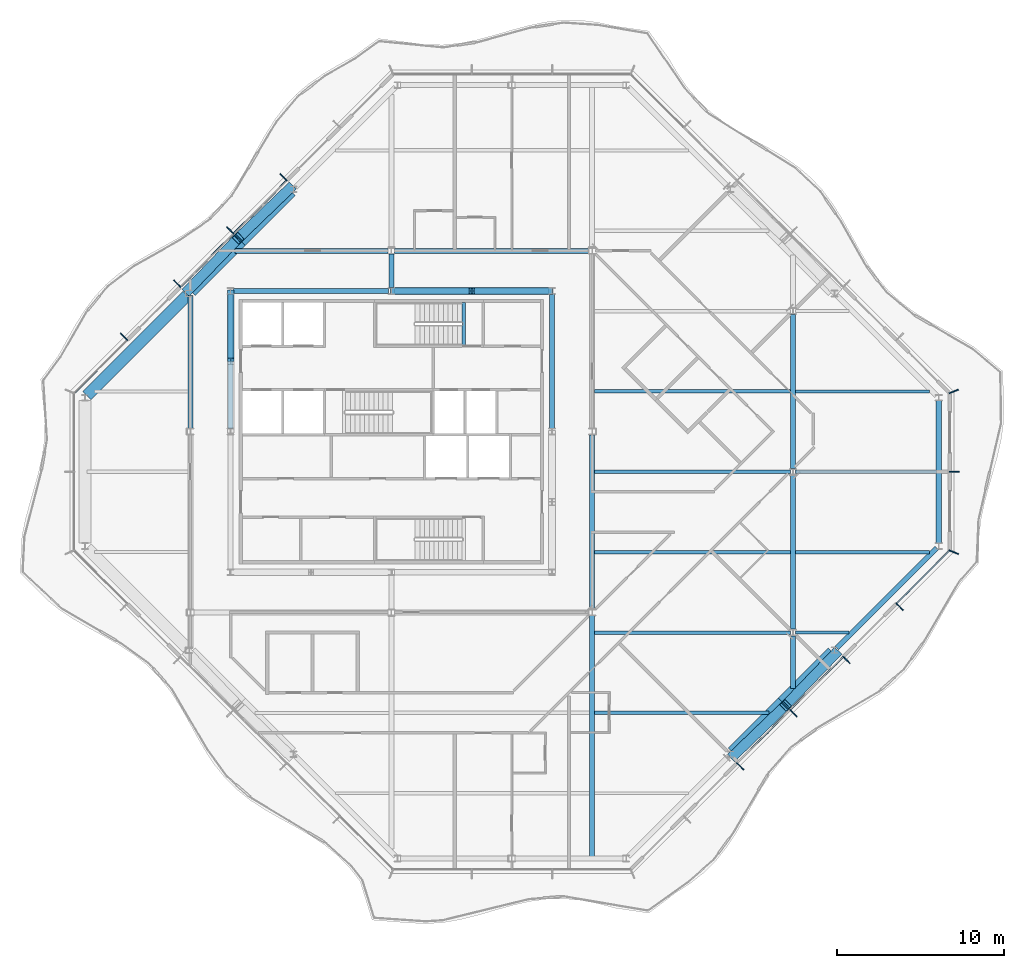
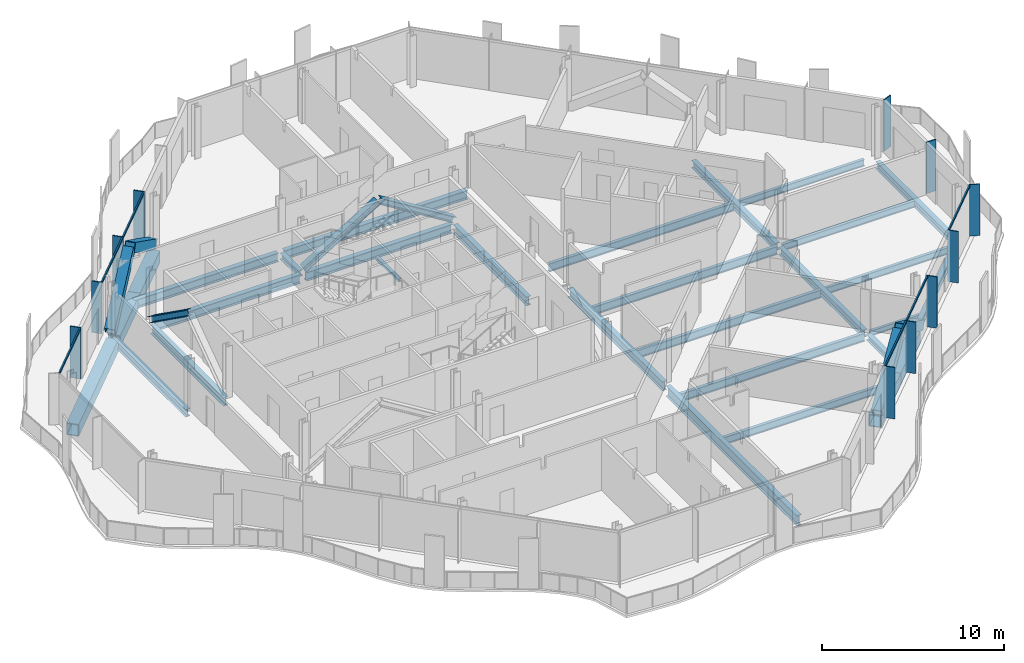
# One storey, part 4 of 16: 30 beams, 24 members, 4 elements without a shape of their own.
"""IFC4 building model written with IfcOpenShell, lengths in metres."""

from ifc_helpers import new_model, si_unit, direction, frame, origin, origin_2d, place, context, subcontext, project, spatial, rectangle, hollow_rectangle, i_section, extrude, material, material_profile, profile_set, type_object, element, aggregate, save


model = new_model("IFC4")

# Units and contexts
model_context = context("Model", 3, precision=1e-05, world=origin(), true_north=direction((0.0, 1.0)))
body_context = subcontext(model_context, "Body", "Model", "MODEL_VIEW")
ifc_project = project(units=[si_unit("LENGTHUNIT", "METRE"), si_unit("AREAUNIT", "SQUARE_METRE"), si_unit("VOLUMEUNIT", "CUBIC_METRE"), si_unit("PLANEANGLEUNIT", "RADIAN"), si_unit("MASSUNIT", "GRAM", prefix="KILO")], contexts=[model_context])

# Site, building, storey
site_placement = place(None, origin())
site = spatial("IfcSite", under=ifc_project, at=site_placement, CompositionType="ELEMENT")
building_placement = place(site_placement, origin())
building = spatial("IfcBuilding", under=site, at=building_placement, Name="Cairn Pilgrim Tower", CompositionType="ELEMENT")
storey_placement = place(building_placement, frame((0.0, 0.0, 285.0)))
storey = spatial("IfcBuildingStorey", under=building, at=storey_placement, Name="L73", CompositionType="ELEMENT", Elevation=285.0)

# Members
ifc_material_1 = material(Name="Structural steel S460M", Category="steel")
ifc_material_profile_1 = material_profile(ifc_material_1, hollow_rectangle(XDim=0.60009765625, YDim=0.60009765625, WallThickness=0.034912109375, at=origin_2d()), Name="BOX 600x600x35")
ifc_profile_set_1 = profile_set([ifc_material_profile_1], Name="Structural steel S460M")
member_type_1 = type_object("IfcMemberType", Name="BOX 600x600x35 BRACE", PredefinedType="BRACE", material=ifc_profile_set_1)
for number, where, z_axis, x_axis, name in (
    (1, (27.602294921875, -16.98779296875, 0.14990234375), (0.613660799233, 0.591469196702, 0.523053164447), (-0.693968270733, 0.720005582767, 0.0), "XB-SE2-SE3-1"),
    (2, (33.78759765625, -10.80224609375, 0.14990234375), (-0.59143769276, -0.613678385942, 0.52306815446), (0.720033989027, -0.693938797478, 0.0), "XB-SE2-SE3-2"),
    (3, (1.19775390625, 16.98779296875, 0.14990234375), (-0.613660799233, -0.591469196702, 0.523053164447), (0.693968270733, -0.720005582767, 0.0), "XB-NW2-NW3-1"),
    (4, (-4.98779296875, 10.80224609375, 0.14990234375), (0.591469196702, 0.613660799233, 0.523053164447), (-0.720005582767, 0.693968270733, 0.0), "XB-NW2-NW3-2"),
):
    element("IfcMember", number, at=place(storey_placement, frame(where, z_axis=z_axis, x_axis=x_axis)), inside=storey, type_object=member_type_1, Name=name, PredefinedType="BRACE", context=body_context, shape_type="SweptSolid", body=[
        extrude(hollow_rectangle(XDim=0.60009765625, YDim=0.60009765625, WallThickness=0.034912109375, at=origin_2d()), origin(), (0.0, 0.0, 1.0), 5.03857421875),
    ])

# Beams
ifc_material_2 = material(Name="Structural steel S355J2", Category="steel")
ifc_material_profile_2 = material_profile(ifc_material_2, hollow_rectangle(XDim=0.699951171875, YDim=0.800048828125, WallThickness=0.0400390625, at=origin_2d()), Name="BOX 700x800x40")
ifc_profile_set_2 = profile_set([ifc_material_profile_2], Name="Structural steel S355J2")
beam_type_1 = type_object("IfcBeamType", Name="BOX 700x800x40 RING GIRDER", PredefinedType="SPANDREL", material=ifc_profile_set_2)
for number, where, z_axis, x_axis, name in (
    (5, (27.575927734375, -16.751220703125, -0.550048828125), (0.707135671578, 0.707077889614, 0.0), (-0.707077889614, 0.707135671578, 0.0), "RG4-SE2-SE3-1"),
    (6, (30.563720703125, -13.763671875, -0.550048828125), (0.707077889614, 0.707135671578, 0.0), (-0.707135671578, 0.707077889614, 0.0), "RG4-SE2-SE3-2"),
    (7, (1.22412109375, 16.751220703125, -0.550048828125), (-0.707135671578, -0.707077889614, 0.0), (0.707077889614, -0.707135671578, 0.0), "RG4-NW2-NW3-1"),
    (8, (-1.763671875, 13.763671875, -0.550048828125), (-0.707077889614, -0.707135671578, 0.0), (0.707135671578, -0.707077889614, 0.0), "RG4-NW2-NW3-2"),
):
    element("IfcBeam", number, at=place(storey_placement, frame(where, z_axis=z_axis, x_axis=x_axis)), inside=storey, type_object=beam_type_1, Name=name, PredefinedType="SPANDREL", context=body_context, shape_type="SweptSolid", body=[
        extrude(hollow_rectangle(XDim=0.699951171875, YDim=0.800048828125, WallThickness=0.0400390625, at=origin_2d()), origin(), (0.0, 0.0, 1.0), 4.22509765625),
    ])
beam_1_placement = place(storey_placement, frame((-5.000244140625, 10.527099609375, -0.550048828125), z_axis=(-0.707092335843, -0.707121226235, 0.0), x_axis=(0.707121226235, -0.707092335843, 0.0)))
element("IfcBeam", 9, at=beam_1_placement, inside=storey, type_object=beam_type_1, Name="RG4-NW3-W1", PredefinedType="SPANDREL", context=body_context, shape_type="SweptSolid", body=[
    extrude(hollow_rectangle(XDim=0.699951171875, YDim=0.800048828125, WallThickness=0.0400390625, at=origin_2d()), origin(), (0.0, 0.0, 1.0), 8.45068359375),
])

# Curtain wall, members
ifc_material_3 = material(Name="Aluminium alloy 6063-T6 bronze anodised with Bronze tinted laminated low-E glass 8+16+8.8", Category="aluminium")
curtain_wall_type = type_object("IfcCurtainWallType", Name="CROWN CURTAIN WALL", PredefinedType="NOTDEFINED", material=ifc_material_3)
curtain_wall_1_placement = place(storey_placement, origin())
curtain_wall_1 = element("IfcCurtainWall", 10, at=curtain_wall_1_placement, inside=storey, type_object=curtain_wall_type, Name="Crown Curtain Wall SE", PredefinedType="NOTDEFINED")
ifc_material_4 = material(Name="Aluminium alloy 6063-T6 bronze anodised", Category="aluminium")
ifc_material_profile_3 = material_profile(ifc_material_4, rectangle(XDim=0.60009765625, YDim=0.06005859375, at=origin_2d()), Name="FIN MULLION 60x600 BRONZE")
ifc_profile_set_3 = profile_set([ifc_material_profile_3], Name="Aluminium alloy 6063-T6 bronze anodised")
member_type_2 = type_object("IfcMemberType", Name="FIN MULLION 60x600 BRONZE", PredefinedType="MULLION", material=ifc_profile_set_3)
member_1_placement = place(storey_placement, frame((28.03857421875, -17.58984375, 0.0), z_axis=(0.0, 0.0, 1.0), x_axis=(0.707106781187, -0.707106781187, 0.0)))
member_1 = element("IfcMember", 11, at=member_1_placement, type_object=member_type_2, Name="Fin mullion SE3", PredefinedType="MULLION", context=body_context, shape_type="SweptSolid", body=[
    extrude(rectangle(XDim=0.60009765625, YDim=0.06005859375, at=origin_2d()), origin(), (0.0, 0.0, 1.0), 3.449951171875),
])
member_2_placement = place(storey_placement, frame((31.214111328125, -14.4140625, 0.0), z_axis=(0.0, 0.0, 1.0), x_axis=(0.707106781187, -0.707106781187, 0.0)))
member_2 = element("IfcMember", 12, at=member_2_placement, type_object=member_type_2, Name="Fin mullion SE4", PredefinedType="MULLION", context=body_context, shape_type="SweptSolid", body=[
    extrude(rectangle(XDim=0.60009765625, YDim=0.06005859375, at=origin_2d()), origin(), (0.0, 0.0, 1.0), 3.449951171875),
])
member_3_placement = place(storey_placement, frame((34.3896484375, -11.238525390625, 0.0), z_axis=(0.0, 0.0, 1.0), x_axis=(0.707106781187, -0.707106781187, 0.0)))
member_3 = element("IfcMember", 13, at=member_3_placement, type_object=member_type_2, Name="Fin mullion SE5", PredefinedType="MULLION", context=body_context, shape_type="SweptSolid", body=[
    extrude(rectangle(XDim=0.60009765625, YDim=0.06005859375, at=origin_2d()), origin(), (0.0, 0.0, 1.0), 3.449951171875),
])
member_4_placement = place(storey_placement, frame((37.5654296875, -8.06298828125, 0.0), z_axis=(0.0, 0.0, 1.0), x_axis=(0.707106781187, -0.707106781187, 0.0)))
member_4 = element("IfcMember", 14, at=member_4_placement, type_object=member_type_2, Name="Fin mullion SE6", PredefinedType="MULLION", context=body_context, shape_type="SweptSolid", body=[
    extrude(rectangle(XDim=0.60009765625, YDim=0.06005859375, at=origin_2d()), origin(), (0.0, 0.0, 1.0), 3.449951171875),
])

curtain_wall_2_placement = place(storey_placement, origin())
curtain_wall_2 = element("IfcCurtainWall", 15, at=curtain_wall_2_placement, inside=storey, type_object=curtain_wall_type, Name="Crown Curtain Wall E", PredefinedType="NOTDEFINED")
member_5_placement = place(storey_placement, frame((40.799560546875, -4.7998046875, 0.0), z_axis=(0.0, 0.0, 1.0), x_axis=(0.923879532511, -0.382683432365, 0.0)))
member_5 = element("IfcMember", 16, at=member_5_placement, type_object=member_type_2, Name="Fin mullion E1", PredefinedType="MULLION", context=body_context, shape_type="SweptSolid", body=[
    extrude(rectangle(XDim=0.60009765625, YDim=0.06005859375, at=origin_2d()), origin(), (0.0, 0.0, 1.0), 3.449951171875),
])
member_6_placement = place(storey_placement, frame((40.820068359375, 0.0, 0.0), z_axis=(0.0, 0.0, 1.0), x_axis=(1.0, 0.0, 0.0)))
member_6 = element("IfcMember", 17, at=member_6_placement, type_object=member_type_2, Name="Fin mullion E2", PredefinedType="MULLION", context=body_context, shape_type="SweptSolid", body=[
    extrude(rectangle(XDim=0.60009765625, YDim=0.06005859375, at=origin_2d()), origin(), (0.0, 0.0, 1.0), 3.449951171875),
])
aggregate(curtain_wall_2, [member_5, member_6])

# Curtain wall, member
curtain_wall_3_placement = place(storey_placement, origin())
curtain_wall_3 = element("IfcCurtainWall", 18, at=curtain_wall_3_placement, inside=storey, type_object=curtain_wall_type, Name="Crown Curtain Wall NE", PredefinedType="NOTDEFINED")
member_7_placement = place(storey_placement, frame((40.799560546875, 4.7998046875, 0.0), z_axis=(0.0, 0.0, 1.0), x_axis=(0.923879532511, 0.382683432365, 0.0)))
member_7 = element("IfcMember", 19, at=member_7_placement, type_object=member_type_2, Name="Fin mullion NE1", PredefinedType="MULLION", context=body_context, shape_type="SweptSolid", body=[
    extrude(rectangle(XDim=0.60009765625, YDim=0.06005859375, at=origin_2d()), origin(), (0.0, 0.0, 1.0), 3.449951171875),
])
aggregate(curtain_wall_3, [member_7])

# Curtain wall, members
curtain_wall_4_placement = place(storey_placement, origin())
curtain_wall_4 = element("IfcCurtainWall", 20, at=curtain_wall_4_placement, inside=storey, type_object=curtain_wall_type, Name="Crown Curtain Wall NW", PredefinedType="NOTDEFINED")
member_8_placement = place(storey_placement, frame((0.761474609375, 17.58984375, 0.0), z_axis=(0.0, 0.0, 1.0), x_axis=(-0.707106781187, 0.707106781187, 0.0)))
member_8 = element("IfcMember", 21, at=member_8_placement, type_object=member_type_2, Name="Fin mullion NW3", PredefinedType="MULLION", context=body_context, shape_type="SweptSolid", body=[
    extrude(rectangle(XDim=0.60009765625, YDim=0.06005859375, at=origin_2d()), origin(), (0.0, 0.0, 1.0), 3.449951171875),
])
member_9_placement = place(storey_placement, frame((-2.4140625, 14.4140625, 0.0), z_axis=(0.0, 0.0, 1.0), x_axis=(-0.707106781187, 0.707106781187, 0.0)))
member_9 = element("IfcMember", 22, at=member_9_placement, type_object=member_type_2, Name="Fin mullion NW4", PredefinedType="MULLION", context=body_context, shape_type="SweptSolid", body=[
    extrude(rectangle(XDim=0.60009765625, YDim=0.06005859375, at=origin_2d()), origin(), (0.0, 0.0, 1.0), 3.449951171875),
])
member_10_placement = place(storey_placement, frame((-5.58984375, 11.238525390625, 0.0), z_axis=(0.0, 0.0, 1.0), x_axis=(-0.707106781187, 0.707106781187, 0.0)))
member_10 = element("IfcMember", 23, at=member_10_placement, type_object=member_type_2, Name="Fin mullion NW5", PredefinedType="MULLION", context=body_context, shape_type="SweptSolid", body=[
    extrude(rectangle(XDim=0.60009765625, YDim=0.06005859375, at=origin_2d()), origin(), (0.0, 0.0, 1.0), 3.449951171875),
])
member_11_placement = place(storey_placement, frame((-8.765380859375, 8.06298828125, 0.0), z_axis=(0.0, 0.0, 1.0), x_axis=(-0.707106781187, 0.707106781187, 0.0)))
member_11 = element("IfcMember", 24, at=member_11_placement, type_object=member_type_2, Name="Fin mullion NW6", PredefinedType="MULLION", context=body_context, shape_type="SweptSolid", body=[
    extrude(rectangle(XDim=0.60009765625, YDim=0.06005859375, at=origin_2d()), origin(), (0.0, 0.0, 1.0), 3.449951171875),
])

# Members
ifc_material_profile_4 = material_profile(ifc_material_2, i_section(OverallWidth=0.39794921875, OverallDepth=0.386962890625, WebThickness=0.02099609375, FlangeThickness=0.033203125, FilletRadius=0.014892578125, at=origin_2d()), Name="HD 400x262")
ifc_profile_set_4 = profile_set([ifc_material_profile_4], Name="Structural steel S355J2")
member_type_3 = type_object("IfcMemberType", Name="HD 400x262 BRACE", PredefinedType="BRACE", material=ifc_profile_set_4)
for number, where, z_axis, x_axis, name in (
    (25, (16.76025390625, 10.800048828125, 0.10009765625), (-0.85122905108, 0.0, 0.524794343145), (0.0, -1.0, 0.0), "KB-3A"),
    (26, (7.23974609375, 10.800048828125, 0.10009765625), (0.85122905108, 0.0, 0.524794343145), (0.0, 1.0, 0.0), "KB-3B"),
):
    element("IfcMember", number, at=place(storey_placement, frame(where, z_axis=z_axis, x_axis=x_axis)), inside=storey, type_object=member_type_3, Name=name, PredefinedType="BRACE", context=body_context, shape_type="SweptSolid", body=[
        extrude(i_section(OverallWidth=0.39794921875, OverallDepth=0.386962890625, WebThickness=0.02099609375, FlangeThickness=0.033203125, FilletRadius=0.014892578125, at=origin_2d()), origin(), (0.0, 0.0, 1.0), 5.530029296875),
    ])
member_12_placement = place(storey_placement, frame((-2.39990234375, 10.76025390625, 0.10009765625), z_axis=(0.0, -0.814462005215, 0.580216892258), x_axis=(1.0, 0.0, 0.0)))
element("IfcMember", 27, at=member_12_placement, inside=storey, type_object=member_type_3, Name="KB-4A", PredefinedType="BRACE", context=body_context, shape_type="SweptSolid", body=[
    extrude(i_section(OverallWidth=0.39794921875, OverallDepth=0.386962890625, WebThickness=0.02099609375, FlangeThickness=0.033203125, FilletRadius=0.014892578125, at=origin_2d()), origin(), (0.0, 0.0, 1.0), 4.999755859375),
])

# Beams
ifc_material_profile_5 = material_profile(ifc_material_2, i_section(OverallWidth=0.300048828125, OverallDepth=0.39990234375, WebThickness=0.013427734375, FlangeThickness=0.02392578125, FilletRadius=0.027099609375, at=origin_2d()), Name="HEB 400")
ifc_profile_set_5 = profile_set([ifc_material_profile_5], Name="Structural steel S355J2")
beam_type_2 = type_object("IfcBeamType", Name="HEB 400 GIRDER", PredefinedType="BEAM", material=ifc_profile_set_5)
beam_2_placement = place(storey_placement, frame((7.199951171875, 10.9990234375, -0.35009765625), z_axis=(0.0, 1.0, 0.0), x_axis=(-1.0, 0.0, 0.0)))
element("IfcBeam", 28, at=beam_2_placement, inside=storey, type_object=beam_type_2, Name="PG3-E2", PredefinedType="BEAM", context=body_context, shape_type="SweptSolid", body=[
    extrude(i_section(OverallWidth=0.300048828125, OverallDepth=0.39990234375, WebThickness=0.013427734375, FlangeThickness=0.02392578125, FilletRadius=0.027099609375, at=origin_2d()), origin(), (0.0, 0.0, 1.0), 2.00390625),
])
beam_3_placement = place(storey_placement, frame((31.199951171875, -12.945068359375, -0.35009765625), z_axis=(0.0, 1.0, 0.0), x_axis=(-1.0, 0.0, 0.0)))
element("IfcBeam", 29, at=beam_3_placement, inside=storey, type_object=beam_type_2, Name="PG5-1", PredefinedType="BEAM", context=body_context, shape_type="SweptSolid", body=[
    extrude(i_section(OverallWidth=0.300048828125, OverallDepth=0.39990234375, WebThickness=0.013427734375, FlangeThickness=0.02392578125, FilletRadius=0.027099609375, at=origin_2d()), origin(), (0.0, 0.0, 1.0), 3.14794921875),
])
ifc_material_profile_6 = material_profile(ifc_material_2, i_section(OverallWidth=0.300048828125, OverallDepth=0.5, WebThickness=0.014404296875, FlangeThickness=0.028076171875, FilletRadius=0.027099609375, at=origin_2d()), Name="HEB 500")
ifc_profile_set_6 = profile_set([ifc_material_profile_6], Name="Structural steel S355J2")
beam_type_3 = type_object("IfcBeamType", Name="HEB 500 GIRDER", PredefinedType="BEAM", material=ifc_profile_set_6)
beam_4_placement = place(storey_placement, frame((-4.800048828125, 2.596923828125, -0.39990234375), z_axis=(0.0, 1.0, 0.0), x_axis=(-1.0, 0.0, 0.0)))
element("IfcBeam", 30, at=beam_4_placement, inside=storey, type_object=beam_type_3, Name="PG2-2", PredefinedType="BEAM", context=body_context, shape_type="SweptSolid", body=[
    extrude(i_section(OverallWidth=0.300048828125, OverallDepth=0.5, WebThickness=0.014404296875, FlangeThickness=0.028076171875, FilletRadius=0.027099609375, at=origin_2d()), origin(), (0.0, 0.0, 1.0), 7.9482421875),
])
for number, where, z_axis, x_axis, name in (
    (31, (31.199951171875, -9.403076171875, -0.39990234375), (0.0, 1.0, 0.0), (-1.0, 0.0, 0.0), "PG5-2"),
    (32, (31.199951171875, 0.197021484375, -0.39990234375), (0.0, 1.0, 0.0), (-1.0, 0.0, 0.0), "PG5-3"),
):
    element("IfcBeam", number, at=place(storey_placement, frame(where, z_axis=z_axis, x_axis=x_axis)), inside=storey, type_object=beam_type_3, Name=name, PredefinedType="BEAM", context=body_context, shape_type="SweptSolid", body=[
        extrude(i_section(OverallWidth=0.300048828125, OverallDepth=0.5, WebThickness=0.014404296875, FlangeThickness=0.028076171875, FilletRadius=0.027099609375, at=origin_2d()), origin(), (0.0, 0.0, 1.0), 9.2060546875),
    ])
ifc_material_profile_7 = material_profile(ifc_material_2, i_section(OverallWidth=0.300048828125, OverallDepth=0.5, WebThickness=0.014404296875, FlangeThickness=0.028076171875, FilletRadius=0.027099609375, at=origin_2d()), Name="HEB 500")
ifc_profile_set_7 = profile_set([ifc_material_profile_7], Name="Structural steel S355J2")
beam_type_4 = type_object("IfcBeamType", Name="HEB 500 RING GIRDER", PredefinedType="SPANDREL", material=ifc_profile_set_7)
beam_5_placement = place(storey_placement, frame((33.80029296875, -10.527099609375, -0.39990234375), z_axis=(0.707092335843, 0.707121226235, 0.0), x_axis=(-0.707121226235, 0.707092335843, 0.0)))
element("IfcBeam", 33, at=beam_5_placement, inside=storey, type_object=beam_type_4, Name="RG4-SE3-E1", PredefinedType="SPANDREL", context=body_context, shape_type="SweptSolid", body=[
    extrude(i_section(OverallWidth=0.300048828125, OverallDepth=0.5, WebThickness=0.014404296875, FlangeThickness=0.028076171875, FilletRadius=0.027099609375, at=origin_2d()), origin(), (0.0, 0.0, 1.0), 8.45068359375),
])
beam_6_placement = place(storey_placement, frame((39.89990234375, -4.251220703125, -0.39990234375), z_axis=(0.0, 1.0, 0.0), x_axis=(-1.0, 0.0, 0.0)))
element("IfcBeam", 34, at=beam_6_placement, inside=storey, type_object=beam_type_4, Name="RG4-E1-NE1", PredefinedType="SPANDREL", context=body_context, shape_type="SweptSolid", body=[
    extrude(i_section(OverallWidth=0.300048828125, OverallDepth=0.5, WebThickness=0.014404296875, FlangeThickness=0.028076171875, FilletRadius=0.027099609375, at=origin_2d()), origin(), (0.0, 0.0, 1.0), 8.50244140625),
])
ifc_material_profile_8 = material_profile(ifc_material_2, i_section(OverallWidth=0.300048828125, OverallDepth=0.60009765625, WebThickness=0.015380859375, FlangeThickness=0.030029296875, FilletRadius=0.027099609375, at=origin_2d()), Name="HEB 600")
ifc_profile_set_8 = profile_set([ifc_material_profile_8], Name="Structural steel S355J2")
beam_type_5 = type_object("IfcBeamType", Name="HEB 600 CORE BEAM", PredefinedType="BEAM", material=ifc_profile_set_8)
beam_7_placement = place(storey_placement, frame((16.800048828125, 2.5791015625, -0.449951171875), z_axis=(0.0, 1.0, 0.0), x_axis=(-1.0, 0.0, 0.0)))
element("IfcBeam", 35, at=beam_7_placement, inside=storey, type_object=beam_type_5, Name="CB-4", PredefinedType="BEAM", context=body_context, shape_type="SweptSolid", body=[
    extrude(i_section(OverallWidth=0.300048828125, OverallDepth=0.60009765625, WebThickness=0.015380859375, FlangeThickness=0.030029296875, FilletRadius=0.027099609375, at=origin_2d()), origin(), (0.0, 0.0, 1.0), 8.041748046875),
])
beam_8_placement = place(storey_placement, frame((16.620849609375, 10.800048828125, -0.449951171875), z_axis=(-1.0, 0.0, 0.0), x_axis=(0.0, -1.0, 0.0)))
element("IfcBeam", 36, at=beam_8_placement, inside=storey, type_object=beam_type_5, Name="CB-5", PredefinedType="BEAM", context=body_context, shape_type="SweptSolid", body=[
    extrude(i_section(OverallWidth=0.300048828125, OverallDepth=0.60009765625, WebThickness=0.015380859375, FlangeThickness=0.030029296875, FilletRadius=0.027099609375, at=origin_2d()), origin(), (0.0, 0.0, 1.0), 9.24169921875),
])
beam_9_placement = place(storey_placement, frame((7.02099609375, 10.800048828125, -0.449951171875), z_axis=(-1.0, 0.0, 0.0), x_axis=(0.0, -1.0, 0.0)))
element("IfcBeam", 37, at=beam_9_placement, inside=storey, type_object=beam_type_5, Name="CB-6", PredefinedType="BEAM", context=body_context, shape_type="SweptSolid", body=[
    extrude(i_section(OverallWidth=0.300048828125, OverallDepth=0.60009765625, WebThickness=0.015380859375, FlangeThickness=0.030029296875, FilletRadius=0.027099609375, at=origin_2d()), origin(), (0.0, 0.0, 1.0), 9.241943359375),
])
beam_10_placement = place(storey_placement, frame((-2.39990234375, 10.620849609375, -0.449951171875), z_axis=(0.0, -1.0, 0.0), x_axis=(1.0, 0.0, 0.0)))
element("IfcBeam", 38, at=beam_10_placement, inside=storey, type_object=beam_type_5, Name="CB-7", PredefinedType="BEAM", context=body_context, shape_type="SweptSolid", body=[
    extrude(i_section(OverallWidth=0.300048828125, OverallDepth=0.60009765625, WebThickness=0.015380859375, FlangeThickness=0.030029296875, FilletRadius=0.027099609375, at=origin_2d()), origin(), (0.0, 0.0, 1.0), 8.041748046875),
])
ifc_material_profile_9 = material_profile(ifc_material_2, i_section(OverallWidth=0.300048828125, OverallDepth=0.60009765625, WebThickness=0.015380859375, FlangeThickness=0.030029296875, FilletRadius=0.027099609375, at=origin_2d()), Name="HEB 600")
ifc_profile_set_9 = profile_set([ifc_material_profile_9], Name="Structural steel S355J2")
beam_type_6 = type_object("IfcBeamType", Name="HEB 600 GIRDER", PredefinedType="BEAM", material=ifc_profile_set_9)
beam_11_placement = place(storey_placement, frame((19.199951171875, -8.202880859375, -0.449951171875), z_axis=(0.0, 1.0, 0.0), x_axis=(-1.0, 0.0, 0.0)))
element("IfcBeam", 39, at=beam_11_placement, inside=storey, type_object=beam_type_6, Name="PG4-2", PredefinedType="BEAM", context=body_context, shape_type="SweptSolid", body=[
    extrude(i_section(OverallWidth=0.300048828125, OverallDepth=0.60009765625, WebThickness=0.015380859375, FlangeThickness=0.030029296875, FilletRadius=0.027099609375, at=origin_2d()), origin(), (0.0, 0.0, 1.0), 10.40576171875),
])
ifc_material_profile_10 = material_profile(ifc_material_2, i_section(OverallWidth=0.300048828125, OverallDepth=0.60009765625, WebThickness=0.015380859375, FlangeThickness=0.030029296875, FilletRadius=0.027099609375, at=origin_2d()), Name="HEB 600")
ifc_profile_set_10 = profile_set([ifc_material_profile_10], Name="Structural steel S355J2")
beam_type_7 = type_object("IfcBeamType", Name="HEB 600 INNER GIRDER", PredefinedType="BEAM", material=ifc_profile_set_10)
beam_12_placement = place(storey_placement, frame((-2.14501953125, 13.199951171875, -0.449951171875), z_axis=(1.0, 0.0, 0.0), x_axis=(0.0, 1.0, 0.0)))
element("IfcBeam", 40, at=beam_12_placement, inside=storey, type_object=beam_type_7, Name="IG2-1", PredefinedType="BEAM", context=body_context, shape_type="SweptSolid", body=[
    extrude(i_section(OverallWidth=0.300048828125, OverallDepth=0.60009765625, WebThickness=0.015380859375, FlangeThickness=0.030029296875, FilletRadius=0.027099609375, at=origin_2d()), origin(), (0.0, 0.0, 1.0), 9.14794921875),
])
beam_13_placement = place(storey_placement, frame((7.39697265625, 13.199951171875, -0.449951171875), z_axis=(1.0, 0.0, 0.0), x_axis=(0.0, 1.0, 0.0)))
element("IfcBeam", 41, at=beam_13_placement, inside=storey, type_object=beam_type_7, Name="IG2-2", PredefinedType="BEAM", context=body_context, shape_type="SweptSolid", body=[
    extrude(i_section(OverallWidth=0.300048828125, OverallDepth=0.60009765625, WebThickness=0.015380859375, FlangeThickness=0.030029296875, FilletRadius=0.027099609375, at=origin_2d()), origin(), (0.0, 0.0, 1.0), 11.60595703125),
])
ifc_material_profile_11 = material_profile(ifc_material_2, i_section(OverallWidth=0.300048828125, OverallDepth=0.699951171875, WebThickness=0.01708984375, FlangeThickness=0.031982421875, FilletRadius=0.027099609375, at=origin_2d()), Name="HEB 700")
ifc_profile_set_11 = profile_set([ifc_material_profile_11], Name="Structural steel S355J2")
beam_type_8 = type_object("IfcBeamType", Name="HEB 700 GIRDER", PredefinedType="BEAM", material=ifc_profile_set_11)
beam_14_placement = place(storey_placement, frame((19.199951171875, -22.97998046875, -0.5), z_axis=(0.0, 1.0, 0.0), x_axis=(-1.0, 0.0, 0.0)))
element("IfcBeam", 42, at=beam_14_placement, inside=storey, type_object=beam_type_8, Name="PG4-1", PredefinedType="BEAM", context=body_context, shape_type="SweptSolid", body=[
    extrude(i_section(OverallWidth=0.300048828125, OverallDepth=0.699951171875, WebThickness=0.01708984375, FlangeThickness=0.031982421875, FilletRadius=0.027099609375, at=origin_2d()), origin(), (0.0, 0.0, 1.0), 14.383056640625),
])
ifc_material_profile_12 = material_profile(ifc_material_2, i_section(OverallWidth=0.169921875, OverallDepth=0.360107421875, WebThickness=0.008056640625, FlangeThickness=0.0126953125, FilletRadius=0.01806640625, at=origin_2d()), Name="IPE 360")
ifc_profile_set_12 = profile_set([ifc_material_profile_12], Name="Structural steel S355J2")
beam_type_9 = type_object("IfcBeamType", Name="IPE 360 SECONDARY BEAM", PredefinedType="JOIST", material=ifc_profile_set_12)
beam_15_placement = place(storey_placement, frame((31.35009765625, -9.60009765625, -0.330078125), z_axis=(1.0, 0.0, 0.0), x_axis=(0.0, 1.0, 0.0)))
element("IfcBeam", 43, at=beam_15_placement, inside=storey, type_object=beam_type_9, Name="SB3-2", PredefinedType="JOIST", context=body_context, shape_type="SweptSolid", body=[
    extrude(i_section(OverallWidth=0.169921875, OverallDepth=0.360107421875, WebThickness=0.008056640625, FlangeThickness=0.0126953125, FilletRadius=0.01806640625, at=origin_2d()), origin(), (0.0, 0.0, 1.0), 3.195068359375),
])
ifc_material_profile_13 = material_profile(ifc_material_2, i_section(OverallWidth=0.18994140625, OverallDepth=0.449951171875, WebThickness=0.009521484375, FlangeThickness=0.0146484375, FilletRadius=0.02099609375, at=origin_2d()), Name="IPE 450")
ifc_profile_set_13 = profile_set([ifc_material_profile_13], Name="Structural steel S355J2")
beam_type_10 = type_object("IfcBeamType", Name="IPE 450 SECONDARY BEAM", PredefinedType="JOIST", material=ifc_profile_set_13)
beam_16_placement = place(storey_placement, frame((31.35009765625, -4.800048828125, -0.375), z_axis=(1.0, 0.0, 0.0), x_axis=(0.0, 1.0, 0.0)))
element("IfcBeam", 44, at=beam_16_placement, inside=storey, type_object=beam_type_10, Name="SB4-3", PredefinedType="JOIST", context=body_context, shape_type="SweptSolid", body=[
    extrude(i_section(OverallWidth=0.18994140625, OverallDepth=0.449951171875, WebThickness=0.009521484375, FlangeThickness=0.0146484375, FilletRadius=0.02099609375, at=origin_2d()), origin(), (0.0, 0.0, 1.0), 7.9951171875),
])
beam_17_placement = place(storey_placement, frame((31.35009765625, 0.0, -0.375), z_axis=(1.0, 0.0, 0.0), x_axis=(0.0, 1.0, 0.0)))
element("IfcBeam", 45, at=beam_17_placement, inside=storey, type_object=beam_type_10, Name="SB5-3", PredefinedType="JOIST", context=body_context, shape_type="SweptSolid", body=[
    extrude(i_section(OverallWidth=0.18994140625, OverallDepth=0.449951171875, WebThickness=0.009521484375, FlangeThickness=0.0146484375, FilletRadius=0.02099609375, at=origin_2d()), origin(), (0.0, 0.0, 1.0), 8.429931640625),
])
beam_18_placement = place(storey_placement, frame((31.35009765625, 4.800048828125, -0.375), z_axis=(1.0, 0.0, 0.0), x_axis=(0.0, 1.0, 0.0)))
element("IfcBeam", 46, at=beam_18_placement, inside=storey, type_object=beam_type_10, Name="SB6-3", PredefinedType="JOIST", context=body_context, shape_type="SweptSolid", body=[
    extrude(i_section(OverallWidth=0.18994140625, OverallDepth=0.449951171875, WebThickness=0.009521484375, FlangeThickness=0.0146484375, FilletRadius=0.02099609375, at=origin_2d()), origin(), (0.0, 0.0, 1.0), 7.9951171875),
])
ifc_material_profile_14 = material_profile(ifc_material_2, i_section(OverallWidth=0.199951171875, OverallDepth=0.5, WebThickness=0.01025390625, FlangeThickness=0.01611328125, FilletRadius=0.02099609375, at=origin_2d()), Name="IPE 500")
ifc_profile_set_14 = profile_set([ifc_material_profile_14], Name="Structural steel S355J2")
beam_type_11 = type_object("IfcBeamType", Name="IPE 500 SECONDARY BEAM", PredefinedType="JOIST", material=ifc_profile_set_14)
beam_19_placement = place(storey_placement, frame((19.35009765625, -14.39990234375, -0.39990234375), z_axis=(1.0, 0.0, 0.0), x_axis=(0.0, 1.0, 0.0)))
element("IfcBeam", 47, at=beam_19_placement, inside=storey, type_object=beam_type_11, Name="SB2-3", PredefinedType="JOIST", context=body_context, shape_type="SweptSolid", body=[
    extrude(i_section(OverallWidth=0.199951171875, OverallDepth=0.5, WebThickness=0.01025390625, FlangeThickness=0.01611328125, FilletRadius=0.02099609375, at=origin_2d()), origin(), (0.0, 0.0, 1.0), 10.39501953125),
])
ifc_material_profile_15 = material_profile(ifc_material_2, i_section(OverallWidth=0.2099609375, OverallDepth=0.550048828125, WebThickness=0.010986328125, FlangeThickness=0.01708984375, FilletRadius=0.02392578125, at=origin_2d()), Name="IPE 550")
ifc_profile_set_15 = profile_set([ifc_material_profile_15], Name="Structural steel S355J2")
beam_type_12 = type_object("IfcBeamType", Name="IPE 550 SECONDARY BEAM", PredefinedType="JOIST", material=ifc_profile_set_15)
for number, where, z_axis, x_axis, name in (
    (48, (19.35009765625, -9.60009765625, -0.425048828125), (1.0, 0.0, 0.0), (0.0, 1.0, 0.0), "SB3-1"),
    (49, (19.35009765625, -4.800048828125, -0.425048828125), (1.0, 0.0, 0.0), (0.0, 1.0, 0.0), "SB4-2"),
    (50, (19.35009765625, 0.0, -0.425048828125), (1.0, 0.0, 0.0), (0.0, 1.0, 0.0), "SB5-2"),
    (51, (19.35009765625, 4.800048828125, -0.425048828125), (1.0, 0.0, 0.0), (0.0, 1.0, 0.0), "SB6-2"),
):
    element("IfcBeam", number, at=place(storey_placement, frame(where, z_axis=z_axis, x_axis=x_axis)), inside=storey, type_object=beam_type_12, Name=name, PredefinedType="JOIST", context=body_context, shape_type="SweptSolid", body=[
        extrude(i_section(OverallWidth=0.2099609375, OverallDepth=0.550048828125, WebThickness=0.010986328125, FlangeThickness=0.01708984375, FilletRadius=0.02392578125, at=origin_2d()), origin(), (0.0, 0.0, 1.0), 11.699951171875),
    ])
ifc_material_profile_16 = material_profile(ifc_material_2, i_section(OverallWidth=0.199951171875, OverallDepth=0.199951171875, WebThickness=0.009033203125, FlangeThickness=0.014892578125, FilletRadius=0.01806640625, at=origin_2d()), Name="HE 200 B")
ifc_profile_set_16 = profile_set([ifc_material_profile_16], Name="Structural steel S355J2")
beam_type_13 = type_object("IfcBeamType", Name="STAIR LANDING BEAM HE 200 B", PredefinedType="BEAM", material=ifc_profile_set_16)
beam_20_placement = place(storey_placement, frame((11.5244140625, 10.10009765625, -0.25), z_axis=(0.0, -1.0, 0.0), x_axis=(1.0, 0.0, 0.0)))
element("IfcBeam", 52, at=beam_20_placement, inside=storey, type_object=beam_type_13, Name="STAIR LANDING BEAM LD-HE200B", PredefinedType="BEAM", context=body_context, shape_type="SweptSolid", body=[
    extrude(i_section(OverallWidth=0.199951171875, OverallDepth=0.199951171875, WebThickness=0.009033203125, FlangeThickness=0.014892578125, FilletRadius=0.01806640625, at=origin_2d()), origin(), (0.0, 0.0, 1.0), 2.525146484375),
])

# Member
ifc_material_profile_17 = material_profile(ifc_material_4, rectangle(XDim=0.080078125, YDim=0.14990234375, at=origin_2d()), Name="TRANSOM 80x150 BRONZE")
ifc_profile_set_17 = profile_set([ifc_material_profile_17], Name="Aluminium alloy 6063-T6 bronze anodised")
member_type_4 = type_object("IfcMemberType", Name="TRANSOM 80x150 BRONZE", PredefinedType="USERDEFINED", material=ifc_profile_set_17)
member_13_placement = place(storey_placement, frame((27.868896484375, -17.377685546875, 3.375), z_axis=(0.707079231393, 0.707134329907, 0.0), x_axis=(-0.707134329907, 0.707079231393, 0.0)))
member_13 = element("IfcMember", 53, at=member_13_placement, type_object=member_type_4, Name="Transom SE3", ObjectType="TRANSOM", PredefinedType="USERDEFINED", context=body_context, shape_type="SweptSolid", body=[
    extrude(rectangle(XDim=0.080078125, YDim=0.14990234375, at=origin_2d()), origin(), (0.0, 0.0, 1.0), 4.430908203125),
])

member_14_placement = place(storey_placement, frame((31.04443359375, -14.201904296875, 3.375), z_axis=(0.707106781187, 0.707106781187, 0.0), x_axis=(-0.707106781187, 0.707106781187, 0.0)))
member_14 = element("IfcMember", 54, at=member_14_placement, type_object=member_type_4, Name="Transom SE4", ObjectType="TRANSOM", PredefinedType="USERDEFINED", context=body_context, shape_type="SweptSolid", body=[
    extrude(rectangle(XDim=0.080078125, YDim=0.14990234375, at=origin_2d()), origin(), (0.0, 0.0, 1.0), 4.430908203125),
])

member_15_placement = place(storey_placement, frame((37.3955078125, -7.850830078125, 3.375), z_axis=(0.707106781187, 0.707106781187, 0.0), x_axis=(-0.707106781187, 0.707106781187, 0.0)))
member_15 = element("IfcMember", 55, at=member_15_placement, type_object=member_type_4, Name="Transom SE6", ObjectType="TRANSOM", PredefinedType="USERDEFINED", context=body_context, shape_type="SweptSolid", body=[
    extrude(rectangle(XDim=0.080078125, YDim=0.14990234375, at=origin_2d()), origin(), (0.0, 0.0, 1.0), 4.421142578125),
])

aggregate(curtain_wall_1, [member_1, member_2, member_3, member_4, member_13, member_14, member_15])

member_16_placement = place(storey_placement, frame((0.93115234375, 17.377685546875, 3.375), z_axis=(-0.707079231393, -0.707134329907, 0.0), x_axis=(0.707134329907, -0.707079231393, 0.0)))
member_16 = element("IfcMember", 56, at=member_16_placement, type_object=member_type_4, Name="Transom NW3", ObjectType="TRANSOM", PredefinedType="USERDEFINED", context=body_context, shape_type="SweptSolid", body=[
    extrude(rectangle(XDim=0.080078125, YDim=0.14990234375, at=origin_2d()), origin(), (0.0, 0.0, 1.0), 4.430908203125),
])

member_17_placement = place(storey_placement, frame((-2.244384765625, 14.201904296875, 3.375), z_axis=(-0.707134329907, -0.707079231393, 0.0), x_axis=(0.707079231393, -0.707134329907, 0.0)))
member_17 = element("IfcMember", 57, at=member_17_placement, type_object=member_type_4, Name="Transom NW4", ObjectType="TRANSOM", PredefinedType="USERDEFINED", context=body_context, shape_type="SweptSolid", body=[
    extrude(rectangle(XDim=0.080078125, YDim=0.14990234375, at=origin_2d()), origin(), (0.0, 0.0, 1.0), 4.430908203125),
])

member_18_placement = place(storey_placement, frame((-8.595703125, 7.850830078125, 3.375), z_axis=(-0.707079168996, -0.707134392299, 0.0), x_axis=(0.707134392299, -0.707079168996, 0.0)))
member_18 = element("IfcMember", 58, at=member_18_placement, type_object=member_type_4, Name="Transom NW6", ObjectType="TRANSOM", PredefinedType="USERDEFINED", context=body_context, shape_type="SweptSolid", body=[
    extrude(rectangle(XDim=0.080078125, YDim=0.14990234375, at=origin_2d()), origin(), (0.0, 0.0, 1.0), 4.4208984375),
])

aggregate(curtain_wall_4, [member_8, member_9, member_10, member_11, member_16, member_17, member_18])

save(model, "model.ifc")
